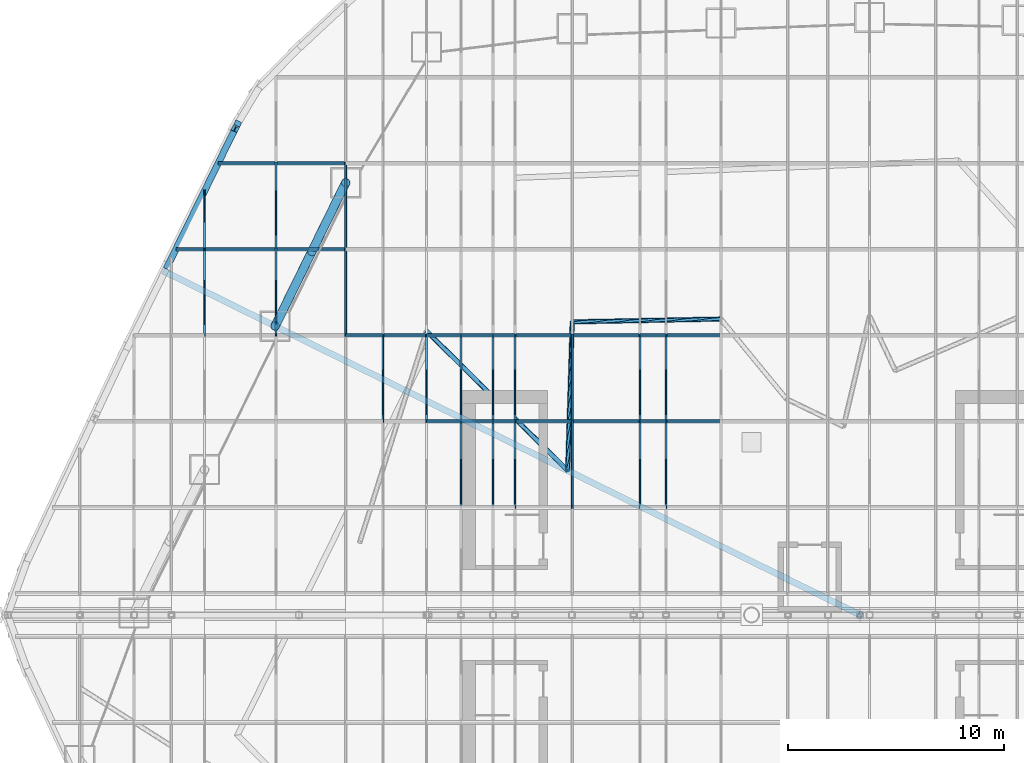
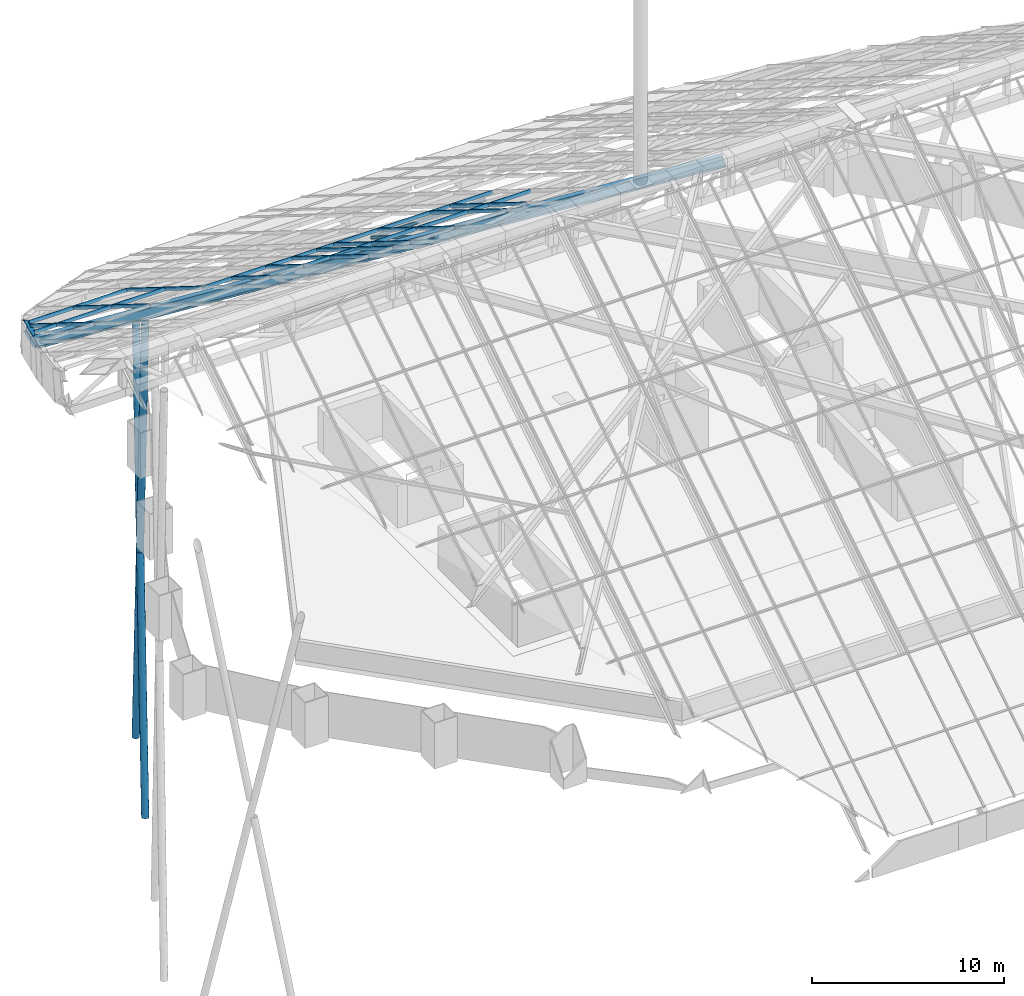
# One storey, part 14 of 38: 50 members, 22 elements without a shape of their own.
"""IFC4 building model written with IfcOpenShell, lengths in metres."""

from ifc_helpers import new_model, si_unit, direction, frame, origin, origin_2d, place, context, subcontext, project, spatial, rectangle, hollow_circle, i_section, extrude, material, layer, layer_set, material_profile, profile_set, type_object, element, aggregate, save


model = new_model("IFC4")

# Units and contexts
model_context = context("Model", 3, precision=1e-05, world=origin(), true_north=direction((0.0, 1.0)))
body_context = subcontext(model_context, "Body", "Model", "MODEL_VIEW")
ifc_project = project(units=[si_unit("LENGTHUNIT", "METRE"), si_unit("AREAUNIT", "SQUARE_METRE"), si_unit("VOLUMEUNIT", "CUBIC_METRE"), si_unit("PLANEANGLEUNIT", "RADIAN"), si_unit("MASSUNIT", "GRAM", prefix="KILO")], contexts=[model_context])

# Site, building, storey
site_placement = place(None, origin())
site = spatial("IfcSite", under=ifc_project, at=site_placement, CompositionType="ELEMENT")
building_placement = place(site_placement, origin())
building = spatial("IfcBuilding", under=site, at=building_placement, Name="Dongbaek Canopy Tower", CompositionType="ELEMENT")
storey_placement = place(building_placement, frame((0.0, 0.0, 375.800048828125)))
storey = spatial("IfcBuildingStorey", under=building, at=storey_placement, Name="Roof", CompositionType="ELEMENT", Elevation=375.800048828125)

# Members
ifc_material_1 = material(Name="Steel S355", Category="steel")
ifc_material_profile_1 = material_profile(ifc_material_1, hollow_circle(Radius=0.203125, WallThickness=0.0126953125, at=origin_2d()), Name="COLONNADE BRACE CHS 406.4x12.7 Steel S355")
ifc_profile_set_1 = profile_set([ifc_material_profile_1], Name="Steel S355")
member_type_1 = type_object("IfcMemberType", Name="COLONNADE BRACE CHS 406.4x12.7 Steel S355", PredefinedType="BRACE", material=ifc_profile_set_1)
member_1_placement = place(storey_placement, frame((-18.805908203125, 20.031982421875, -22.199951171875), z_axis=(-0.101088431439, -0.205512766021, 0.973419556015), x_axis=(0.897321296688, -0.441377945202, 0.0)))
element("IfcMember", 1, at=member_1_placement, inside=storey, type_object=member_type_1, Name="XBRACE:22:0", PredefinedType="BRACE", context=body_context, shape_type="SweptSolid", body=[
    extrude(hollow_circle(Radius=0.203125, WallThickness=0.0126953125, at=origin_2d()), origin(), (0.0, 0.0, 1.0), 32.34814453125),
])
member_2_placement = place(storey_placement, frame((-22.075927734375, 13.384033203125, -22.199951171875), z_axis=(0.115450028718, 0.234744525164, 0.965176822543), x_axis=(-0.897347087401, 0.441325508818, 0.0)))
element("IfcMember", 2, at=member_2_placement, inside=storey, type_object=member_type_1, Name="XBRACE:22:1", PredefinedType="BRACE", context=body_context, shape_type="SweptSolid", body=[
    extrude(hollow_circle(Radius=0.203125, WallThickness=0.0126953125, at=origin_2d()), origin(), (0.0, 0.0, 1.0), 14.73291015625),
])
member_3_placement = place(storey_placement, frame((-18.805908203125, 20.031982421875, 5.13427734375), z_axis=(-0.11546509805, -0.234745797978, -0.965174710332), x_axis=(0.897325221807, -0.441369965345, 0.0)))
element("IfcMember", 3, at=member_3_placement, inside=storey, type_object=member_type_1, Name="XBRACE:22:2", PredefinedType="BRACE", context=body_context, shape_type="SweptSolid", body=[
    extrude(hollow_circle(Radius=0.203125, WallThickness=0.0126953125, at=origin_2d()), origin(), (0.0, 0.0, 1.0), 12.73291015625),
])

# Curtain wall, member
ifc_material_2 = material(Name="Aluminium 6063-T6 pale anodised", Category="aluminium")
ifc_layer = layer(ifc_material_2, 0.199951171875)
ifc_layer_set = layer_set([ifc_layer], Name="CW-6 canopy glazing curtain wall")
curtain_wall_type = type_object("IfcCurtainWallType", Name="CW-6 canopy glazing curtain wall", PredefinedType="NOTDEFINED", material=ifc_layer_set)
curtain_wall_1_placement = place(storey_placement, origin())
curtain_wall_1 = element("IfcCurtainWall", 4, at=curtain_wall_1_placement, inside=storey, type_object=curtain_wall_type, Name="CW-6 canopy glazing north 4.4", PredefinedType="NOTDEFINED")
ifc_material_3 = material(Name="Aluminium 6063-T6 pale anodised", Category="aluminium")
ifc_material_profile_2 = material_profile(ifc_material_3, rectangle(XDim=0.080078125, YDim=0.199951171875, at=origin_2d()), Name="CW-6 mullion 80 x 200")
ifc_profile_set_2 = profile_set([ifc_material_profile_2], Name="Aluminium 6063-T6 pale anodised")
member_type_2 = type_object("IfcMemberType", Name="CW-6 mullion 80 x 200", PredefinedType="MULLION", material=ifc_profile_set_2)
member_4_placement = place(storey_placement, frame((-25.346923828125, 12.958740234375, 10.626220703125), z_axis=(0.0, 0.848030400431, -0.529947582262), x_axis=(-1.0, 0.0, 0.0)))
member_4 = element("IfcMember", 5, at=member_4_placement, type_object=member_type_2, Name="CW-6 mullion N4.4.-25.3", PredefinedType="MULLION", context=body_context, shape_type="SweptSolid", body=[
    extrude(rectangle(XDim=0.080078125, YDim=0.199951171875, at=origin_2d()), origin(), (0.0, 0.0, 1.0), 4.700439453125),
])

curtain_wall_2_placement = place(storey_placement, origin())
curtain_wall_2 = element("IfcCurtainWall", 6, at=curtain_wall_2_placement, inside=storey, type_object=curtain_wall_type, Name="CW-6 canopy glazing north 4.5", PredefinedType="NOTDEFINED")
member_5_placement = place(storey_placement, frame((-25.346923828125, 16.94482421875, 8.13525390625), z_axis=(0.0, 0.848041323399, -0.529930102756), x_axis=(-1.0, 0.0, 0.0)))
member_5 = element("IfcMember", 7, at=member_5_placement, type_object=member_type_2, Name="CW-6 mullion N4.5.-25.3", PredefinedType="MULLION", context=body_context, shape_type="SweptSolid", body=[
    extrude(rectangle(XDim=0.080078125, YDim=0.199951171875, at=origin_2d()), origin(), (0.0, 0.0, 1.0), 3.18798828125),
])
aggregate(curtain_wall_2, [member_5])

curtain_wall_3_placement = place(storey_placement, origin())
curtain_wall_3 = element("IfcCurtainWall", 8, at=curtain_wall_3_placement, inside=storey, type_object=curtain_wall_type, Name="CW-6 canopy glazing north 5.4", PredefinedType="NOTDEFINED")
member_6_placement = place(storey_placement, frame((-22.031005859375, 12.958740234375, 10.626220703125), z_axis=(0.0, 0.848030400431, -0.529947582262), x_axis=(-1.0, 0.0, 0.0)))
member_6 = element("IfcMember", 9, at=member_6_placement, type_object=member_type_2, Name="CW-6 mullion N5.4.-22.0", PredefinedType="MULLION", context=body_context, shape_type="SweptSolid", body=[
    extrude(rectangle(XDim=0.080078125, YDim=0.199951171875, at=origin_2d()), origin(), (0.0, 0.0, 1.0), 4.700439453125),
])

curtain_wall_4_placement = place(storey_placement, origin())
curtain_wall_4 = element("IfcCurtainWall", 10, at=curtain_wall_4_placement, inside=storey, type_object=curtain_wall_type, Name="CW-6 canopy glazing north 5.5", PredefinedType="NOTDEFINED")
member_7_placement = place(storey_placement, frame((-22.031005859375, 16.94482421875, 8.13525390625), z_axis=(0.0, 0.848068327403, -0.529886886095), x_axis=(-1.0, 0.0, 0.0)))
member_7 = element("IfcMember", 11, at=member_7_placement, type_object=member_type_2, Name="CW-6 mullion N5.5.-22.0", PredefinedType="MULLION", context=body_context, shape_type="SweptSolid", body=[
    extrude(rectangle(XDim=0.080078125, YDim=0.199951171875, at=origin_2d()), origin(), (0.0, 0.0, 1.0), 4.700439453125),
])

curtain_wall_5_placement = place(storey_placement, origin())
curtain_wall_5 = element("IfcCurtainWall", 12, at=curtain_wall_5_placement, inside=storey, type_object=curtain_wall_type, Name="CW-6 canopy glazing north 6.4", PredefinedType="NOTDEFINED")
member_8_placement = place(storey_placement, frame((-18.805908203125, 12.958740234375, 10.626220703125), z_axis=(0.0, 0.848030400431, -0.529947582262), x_axis=(-1.0, 0.0, 0.0)))
member_8 = element("IfcMember", 13, at=member_8_placement, type_object=member_type_2, Name="CW-6 mullion N6.4.-18.8", PredefinedType="MULLION", context=body_context, shape_type="SweptSolid", body=[
    extrude(rectangle(XDim=0.080078125, YDim=0.199951171875, at=origin_2d()), origin(), (0.0, 0.0, 1.0), 4.700439453125),
])

curtain_wall_6_placement = place(storey_placement, origin())
curtain_wall_6 = element("IfcCurtainWall", 14, at=curtain_wall_6_placement, inside=storey, type_object=curtain_wall_type, Name="CW-6 canopy glazing north 6.5", PredefinedType="NOTDEFINED")
member_9_placement = place(storey_placement, frame((-18.805908203125, 16.94482421875, 8.13525390625), z_axis=(0.0, 0.848068327403, -0.529886886095), x_axis=(-1.0, 0.0, 0.0)))
member_9 = element("IfcMember", 15, at=member_9_placement, type_object=member_type_2, Name="CW-6 mullion N6.5.-18.8", PredefinedType="MULLION", context=body_context, shape_type="SweptSolid", body=[
    extrude(rectangle(XDim=0.080078125, YDim=0.199951171875, at=origin_2d()), origin(), (0.0, 0.0, 1.0), 4.700439453125),
])

curtain_wall_7_placement = place(storey_placement, origin())
curtain_wall_7 = element("IfcCurtainWall", 16, at=curtain_wall_7_placement, inside=storey, type_object=curtain_wall_type, Name="CW-6 canopy glazing north 7.3", PredefinedType="NOTDEFINED")
member_10_placement = place(storey_placement, frame((-17.083984375, 8.972412109375, 13.116943359375), z_axis=(0.0, 0.848068327403, -0.529886886095), x_axis=(-1.0, 0.0, 0.0)))
member_10 = element("IfcMember", 17, at=member_10_placement, type_object=member_type_2, Name="CW-6 mullion N7.3.-17.1", PredefinedType="MULLION", context=body_context, shape_type="SweptSolid", body=[
    extrude(rectangle(XDim=0.080078125, YDim=0.199951171875, at=origin_2d()), origin(), (0.0, 0.0, 1.0), 4.700439453125),
])

curtain_wall_8_placement = place(storey_placement, origin())
curtain_wall_8 = element("IfcCurtainWall", 18, at=curtain_wall_8_placement, inside=storey, type_object=curtain_wall_type, Name="CW-6 canopy glazing north 8.3", PredefinedType="NOTDEFINED")
member_11_placement = place(storey_placement, frame((-15.06201171875, 8.972412109375, 13.116943359375), z_axis=(0.0, 0.848068327403, -0.529886886095), x_axis=(-1.0, 0.0, 0.0)))
member_11 = element("IfcMember", 19, at=member_11_placement, type_object=member_type_2, Name="CW-6 mullion N8.3.-15.1", PredefinedType="MULLION", context=body_context, shape_type="SweptSolid", body=[
    extrude(rectangle(XDim=0.080078125, YDim=0.199951171875, at=origin_2d()), origin(), (0.0, 0.0, 1.0), 4.700439453125),
])

curtain_wall_9_placement = place(storey_placement, origin())
curtain_wall_9 = element("IfcCurtainWall", 20, at=curtain_wall_9_placement, inside=storey, type_object=curtain_wall_type, Name="CW-6 canopy glazing north 9.2", PredefinedType="NOTDEFINED")
member_12_placement = place(storey_placement, frame((-13.464599609375, 4.986328125, 15.60791015625), z_axis=(0.0, 0.848030400431, -0.529947582262), x_axis=(-1.0, 0.0, 0.0)))
member_12 = element("IfcMember", 21, at=member_12_placement, type_object=member_type_2, Name="CW-6 mullion N9.2.-13.5", PredefinedType="MULLION", context=body_context, shape_type="SweptSolid", body=[
    extrude(rectangle(XDim=0.080078125, YDim=0.199951171875, at=origin_2d()), origin(), (0.0, 0.0, 1.0), 4.700439453125),
])

curtain_wall_10_placement = place(storey_placement, origin())
curtain_wall_10 = element("IfcCurtainWall", 22, at=curtain_wall_10_placement, inside=storey, type_object=curtain_wall_type, Name="CW-6 canopy glazing north 9.3", PredefinedType="NOTDEFINED")
member_13_placement = place(storey_placement, frame((-13.464599609375, 8.972412109375, 13.116943359375), z_axis=(0.0, 0.848068327403, -0.529886886095), x_axis=(-1.0, 0.0, 0.0)))
member_13 = element("IfcMember", 23, at=member_13_placement, type_object=member_type_2, Name="CW-6 mullion N9.3.-13.5", PredefinedType="MULLION", context=body_context, shape_type="SweptSolid", body=[
    extrude(rectangle(XDim=0.080078125, YDim=0.199951171875, at=origin_2d()), origin(), (0.0, 0.0, 1.0), 4.700439453125),
])

curtain_wall_11_placement = place(storey_placement, origin())
curtain_wall_11 = element("IfcCurtainWall", 24, at=curtain_wall_11_placement, inside=storey, type_object=curtain_wall_type, Name="CW-6 canopy glazing north 10.2", PredefinedType="NOTDEFINED")
member_14_placement = place(storey_placement, frame((-11.985107421875, 4.986328125, 15.60791015625), z_axis=(0.0, 0.848030400431, -0.529947582262), x_axis=(-1.0, 0.0, 0.0)))
member_14 = element("IfcMember", 25, at=member_14_placement, type_object=member_type_2, Name="CW-6 mullion N10.2.-12.0", PredefinedType="MULLION", context=body_context, shape_type="SweptSolid", body=[
    extrude(rectangle(XDim=0.080078125, YDim=0.199951171875, at=origin_2d()), origin(), (0.0, 0.0, 1.0), 4.700439453125),
])

curtain_wall_12_placement = place(storey_placement, origin())
curtain_wall_12 = element("IfcCurtainWall", 26, at=curtain_wall_12_placement, inside=storey, type_object=curtain_wall_type, Name="CW-6 canopy glazing north 10.3", PredefinedType="NOTDEFINED")
member_15_placement = place(storey_placement, frame((-11.985107421875, 8.972412109375, 13.116943359375), z_axis=(0.0, 0.848068327403, -0.529886886095), x_axis=(-1.0, 0.0, 0.0)))
member_15 = element("IfcMember", 27, at=member_15_placement, type_object=member_type_2, Name="CW-6 mullion N10.3.-12.0", PredefinedType="MULLION", context=body_context, shape_type="SweptSolid", body=[
    extrude(rectangle(XDim=0.080078125, YDim=0.199951171875, at=origin_2d()), origin(), (0.0, 0.0, 1.0), 4.700439453125),
])

curtain_wall_13_placement = place(storey_placement, origin())
curtain_wall_13 = element("IfcCurtainWall", 28, at=curtain_wall_13_placement, inside=storey, type_object=curtain_wall_type, Name="CW-6 canopy glazing north 11.2", PredefinedType="NOTDEFINED")
member_16_placement = place(storey_placement, frame((-10.964599609375, 4.986328125, 15.60791015625), z_axis=(0.0, 0.848030400431, -0.529947582262), x_axis=(-1.0, 0.0, 0.0)))
member_16 = element("IfcMember", 29, at=member_16_placement, type_object=member_type_2, Name="CW-6 mullion N11.2.-11.0", PredefinedType="MULLION", context=body_context, shape_type="SweptSolid", body=[
    extrude(rectangle(XDim=0.080078125, YDim=0.199951171875, at=origin_2d()), origin(), (0.0, 0.0, 1.0), 4.700439453125),
])

curtain_wall_14_placement = place(storey_placement, origin())
curtain_wall_14 = element("IfcCurtainWall", 30, at=curtain_wall_14_placement, inside=storey, type_object=curtain_wall_type, Name="CW-6 canopy glazing north 11.3", PredefinedType="NOTDEFINED")
member_17_placement = place(storey_placement, frame((-10.964599609375, 8.972412109375, 13.116943359375), z_axis=(0.0, 0.848068327403, -0.529886886095), x_axis=(-1.0, 0.0, 0.0)))
member_17 = element("IfcMember", 31, at=member_17_placement, type_object=member_type_2, Name="CW-6 mullion N11.3.-11.0", PredefinedType="MULLION", context=body_context, shape_type="SweptSolid", body=[
    extrude(rectangle(XDim=0.080078125, YDim=0.199951171875, at=origin_2d()), origin(), (0.0, 0.0, 1.0), 4.700439453125),
])

curtain_wall_15_placement = place(storey_placement, origin())
curtain_wall_15 = element("IfcCurtainWall", 32, at=curtain_wall_15_placement, inside=storey, type_object=curtain_wall_type, Name="CW-6 canopy glazing north 12.2", PredefinedType="NOTDEFINED")
member_18_placement = place(storey_placement, frame((-8.30908203125, 4.986328125, 15.60791015625), z_axis=(0.0, 0.848030400431, -0.529947582262), x_axis=(-1.0, 0.0, 0.0)))
member_18 = element("IfcMember", 33, at=member_18_placement, type_object=member_type_2, Name="CW-6 mullion N12.2.-8.3", PredefinedType="MULLION", context=body_context, shape_type="SweptSolid", body=[
    extrude(rectangle(XDim=0.080078125, YDim=0.199951171875, at=origin_2d()), origin(), (0.0, 0.0, 1.0), 4.700439453125),
])

curtain_wall_16_placement = place(storey_placement, origin())
curtain_wall_16 = element("IfcCurtainWall", 34, at=curtain_wall_16_placement, inside=storey, type_object=curtain_wall_type, Name="CW-6 canopy glazing north 12.3", PredefinedType="NOTDEFINED")
member_19_placement = place(storey_placement, frame((-8.30908203125, 8.972412109375, 13.116943359375), z_axis=(0.0, 0.848068327403, -0.529886886095), x_axis=(-1.0, 0.0, 0.0)))
member_19 = element("IfcMember", 35, at=member_19_placement, type_object=member_type_2, Name="CW-6 mullion N12.3.-8.3", PredefinedType="MULLION", context=body_context, shape_type="SweptSolid", body=[
    extrude(rectangle(XDim=0.080078125, YDim=0.199951171875, at=origin_2d()), origin(), (0.0, 0.0, 1.0), 4.700439453125),
])

curtain_wall_17_placement = place(storey_placement, origin())
curtain_wall_17 = element("IfcCurtainWall", 36, at=curtain_wall_17_placement, inside=storey, type_object=curtain_wall_type, Name="CW-6 canopy glazing north 13.2", PredefinedType="NOTDEFINED")
member_20_placement = place(storey_placement, frame((-5.166015625, 4.986328125, 15.60791015625), z_axis=(0.0, 0.848030400431, -0.529947582262), x_axis=(-1.0, 0.0, 0.0)))
member_20 = element("IfcMember", 37, at=member_20_placement, type_object=member_type_2, Name="CW-6 mullion N13.2.-5.2", PredefinedType="MULLION", context=body_context, shape_type="SweptSolid", body=[
    extrude(rectangle(XDim=0.080078125, YDim=0.199951171875, at=origin_2d()), origin(), (0.0, 0.0, 1.0), 4.700439453125),
])

curtain_wall_18_placement = place(storey_placement, origin())
curtain_wall_18 = element("IfcCurtainWall", 38, at=curtain_wall_18_placement, inside=storey, type_object=curtain_wall_type, Name="CW-6 canopy glazing north 13.3", PredefinedType="NOTDEFINED")
member_21_placement = place(storey_placement, frame((-5.166015625, 8.972412109375, 13.116943359375), z_axis=(0.0, 0.848068327403, -0.529886886095), x_axis=(-1.0, 0.0, 0.0)))
member_21 = element("IfcMember", 39, at=member_21_placement, type_object=member_type_2, Name="CW-6 mullion N13.3.-5.2", PredefinedType="MULLION", context=body_context, shape_type="SweptSolid", body=[
    extrude(rectangle(XDim=0.080078125, YDim=0.199951171875, at=origin_2d()), origin(), (0.0, 0.0, 1.0), 4.700439453125),
])

curtain_wall_19_placement = place(storey_placement, origin())
curtain_wall_19 = element("IfcCurtainWall", 40, at=curtain_wall_19_placement, inside=storey, type_object=curtain_wall_type, Name="CW-6 canopy glazing north 14.2", PredefinedType="NOTDEFINED")
member_22_placement = place(storey_placement, frame((-3.964599609375, 4.986328125, 15.60791015625), z_axis=(0.0, 0.848030400431, -0.529947582262), x_axis=(-1.0, 0.0, 0.0)))
member_22 = element("IfcMember", 41, at=member_22_placement, type_object=member_type_2, Name="CW-6 mullion N14.2.-4.0", PredefinedType="MULLION", context=body_context, shape_type="SweptSolid", body=[
    extrude(rectangle(XDim=0.080078125, YDim=0.199951171875, at=origin_2d()), origin(), (0.0, 0.0, 1.0), 4.700439453125),
])

curtain_wall_20_placement = place(storey_placement, origin())
curtain_wall_20 = element("IfcCurtainWall", 42, at=curtain_wall_20_placement, inside=storey, type_object=curtain_wall_type, Name="CW-6 canopy glazing north 14.3", PredefinedType="NOTDEFINED")
member_23_placement = place(storey_placement, frame((-3.964599609375, 8.972412109375, 13.116943359375), z_axis=(0.0, 0.848068327403, -0.529886886095), x_axis=(-1.0, 0.0, 0.0)))
member_23 = element("IfcMember", 43, at=member_23_placement, type_object=member_type_2, Name="CW-6 mullion N14.3.-4.0", PredefinedType="MULLION", context=body_context, shape_type="SweptSolid", body=[
    extrude(rectangle(XDim=0.080078125, YDim=0.199951171875, at=origin_2d()), origin(), (0.0, 0.0, 1.0), 4.700439453125),
])

# Member
ifc_material_4 = material(Name="Aluminium 6063-T6 pale anodised", Category="aluminium")
ifc_material_profile_3 = material_profile(ifc_material_4, rectangle(XDim=0.080078125, YDim=0.199951171875, at=origin_2d()), Name="CW-6 transom 80 x 200")
ifc_profile_set_3 = profile_set([ifc_material_profile_3], Name="Aluminium 6063-T6 pale anodised")
member_type_3 = type_object("IfcMemberType", Name="CW-6 transom 80 x 200", PredefinedType="USERDEFINED", material=ifc_profile_set_3)
member_24_placement = place(storey_placement, frame((-26.677001953125, 16.94482421875, 8.13525390625), z_axis=(1.0, 0.0, 0.0), x_axis=(0.0, 0.848048096156, -0.529919264233)))
member_24 = element("IfcMember", 44, at=member_24_placement, type_object=member_type_3, Name="CW-6 transom N4.4.5", ObjectType="TRANSOM", PredefinedType="USERDEFINED", context=body_context, shape_type="SweptSolid", body=[
    extrude(rectangle(XDim=0.080078125, YDim=0.199951171875, at=origin_2d()), origin(), (0.0, 0.0, 1.0), 1.330078125),
])

aggregate(curtain_wall_1, [member_4, member_24])

member_25_placement = place(storey_placement, frame((-25.346923828125, 16.94482421875, 8.13525390625), z_axis=(1.0, 0.0, 0.0), x_axis=(0.0, 0.848048096156, -0.529919264233)))
member_25 = element("IfcMember", 45, at=member_25_placement, type_object=member_type_3, Name="CW-6 transom N5.4.5", ObjectType="TRANSOM", PredefinedType="USERDEFINED", context=body_context, shape_type="SweptSolid", body=[
    extrude(rectangle(XDim=0.080078125, YDim=0.199951171875, at=origin_2d()), origin(), (0.0, 0.0, 1.0), 3.31591796875),
])

aggregate(curtain_wall_3, [member_6, member_25])

member_26_placement = place(storey_placement, frame((-24.716064453125, 20.93115234375, 5.64453125), z_axis=(1.0, 0.0, 0.0), x_axis=(0.0, 0.848048096156, -0.529919264233)))
member_26 = element("IfcMember", 46, at=member_26_placement, type_object=member_type_3, Name="CW-6 transom N5.5.6", ObjectType="TRANSOM", PredefinedType="USERDEFINED", context=body_context, shape_type="SweptSolid", body=[
    extrude(rectangle(XDim=0.080078125, YDim=0.199951171875, at=origin_2d()), origin(), (0.0, 0.0, 1.0), 2.68505859375),
])

aggregate(curtain_wall_4, [member_7, member_26])

member_27_placement = place(storey_placement, frame((-22.031005859375, 16.94482421875, 8.13525390625), z_axis=(1.0, 0.0, 0.0), x_axis=(0.0, 0.848048096156, -0.529919264233)))
member_27 = element("IfcMember", 47, at=member_27_placement, type_object=member_type_3, Name="CW-6 transom N6.4.5", ObjectType="TRANSOM", PredefinedType="USERDEFINED", context=body_context, shape_type="SweptSolid", body=[
    extrude(rectangle(XDim=0.080078125, YDim=0.199951171875, at=origin_2d()), origin(), (0.0, 0.0, 1.0), 3.22509765625),
])

aggregate(curtain_wall_5, [member_8, member_27])

member_28_placement = place(storey_placement, frame((-22.031005859375, 20.93115234375, 5.64453125), z_axis=(1.0, 0.0, 0.0), x_axis=(0.0, 0.848048096156, -0.529919264233)))
member_28 = element("IfcMember", 48, at=member_28_placement, type_object=member_type_3, Name="CW-6 transom N6.5.6", ObjectType="TRANSOM", PredefinedType="USERDEFINED", context=body_context, shape_type="SweptSolid", body=[
    extrude(rectangle(XDim=0.080078125, YDim=0.199951171875, at=origin_2d()), origin(), (0.0, 0.0, 1.0), 3.22509765625),
])

aggregate(curtain_wall_6, [member_9, member_28])

member_29_placement = place(storey_placement, frame((-18.805908203125, 12.958740234375, 10.626220703125), z_axis=(1.0, 0.0, 0.0), x_axis=(0.0, 0.848048096156, -0.529919264233)))
member_29 = element("IfcMember", 49, at=member_29_placement, type_object=member_type_3, Name="CW-6 transom N7.3.4", ObjectType="TRANSOM", PredefinedType="USERDEFINED", context=body_context, shape_type="SweptSolid", body=[
    extrude(rectangle(XDim=0.080078125, YDim=0.199951171875, at=origin_2d()), origin(), (0.0, 0.0, 1.0), 1.721923828125),
])

aggregate(curtain_wall_7, [member_10, member_29])

member_30_placement = place(storey_placement, frame((-17.083984375, 12.958740234375, 10.626220703125), z_axis=(1.0, 0.0, 0.0), x_axis=(0.0, 0.848048096156, -0.529919264233)))
member_30 = element("IfcMember", 50, at=member_30_placement, type_object=member_type_3, Name="CW-6 transom N8.3.4", ObjectType="TRANSOM", PredefinedType="USERDEFINED", context=body_context, shape_type="SweptSolid", body=[
    extrude(rectangle(XDim=0.080078125, YDim=0.199951171875, at=origin_2d()), origin(), (0.0, 0.0, 1.0), 2.02197265625),
])

aggregate(curtain_wall_8, [member_11, member_30])

member_31_placement = place(storey_placement, frame((-15.06201171875, 8.972412109375, 13.116943359375), z_axis=(1.0, 0.0, 0.0), x_axis=(0.0, 0.848048096156, -0.529919264233)))
member_31 = element("IfcMember", 51, at=member_31_placement, type_object=member_type_3, Name="CW-6 transom N9.2.3", ObjectType="TRANSOM", PredefinedType="USERDEFINED", context=body_context, shape_type="SweptSolid", body=[
    extrude(rectangle(XDim=0.080078125, YDim=0.199951171875, at=origin_2d()), origin(), (0.0, 0.0, 1.0), 1.597412109375),
])

aggregate(curtain_wall_9, [member_12, member_31])

member_32_placement = place(storey_placement, frame((-15.06201171875, 12.958740234375, 10.626220703125), z_axis=(1.0, 0.0, 0.0), x_axis=(0.0, 0.848048096156, -0.529919264233)))
member_32 = element("IfcMember", 52, at=member_32_placement, type_object=member_type_3, Name="CW-6 transom N9.3.4", ObjectType="TRANSOM", PredefinedType="USERDEFINED", context=body_context, shape_type="SweptSolid", body=[
    extrude(rectangle(XDim=0.080078125, YDim=0.199951171875, at=origin_2d()), origin(), (0.0, 0.0, 1.0), 1.597412109375),
])

aggregate(curtain_wall_10, [member_13, member_32])

member_33_placement = place(storey_placement, frame((-13.464599609375, 8.972412109375, 13.116943359375), z_axis=(1.0, 0.0, 0.0), x_axis=(0.0, 0.848048096156, -0.529919264233)))
member_33 = element("IfcMember", 53, at=member_33_placement, type_object=member_type_3, Name="CW-6 transom N10.2.3", ObjectType="TRANSOM", PredefinedType="USERDEFINED", context=body_context, shape_type="SweptSolid", body=[
    extrude(rectangle(XDim=0.080078125, YDim=0.199951171875, at=origin_2d()), origin(), (0.0, 0.0, 1.0), 1.4794921875),
])

aggregate(curtain_wall_11, [member_14, member_33])

member_34_placement = place(storey_placement, frame((-13.464599609375, 12.958740234375, 10.626220703125), z_axis=(1.0, 0.0, 0.0), x_axis=(0.0, 0.848048096156, -0.529919264233)))
member_34 = element("IfcMember", 54, at=member_34_placement, type_object=member_type_3, Name="CW-6 transom N10.3.4", ObjectType="TRANSOM", PredefinedType="USERDEFINED", context=body_context, shape_type="SweptSolid", body=[
    extrude(rectangle(XDim=0.080078125, YDim=0.199951171875, at=origin_2d()), origin(), (0.0, 0.0, 1.0), 1.4794921875),
])

aggregate(curtain_wall_12, [member_15, member_34])

member_35_placement = place(storey_placement, frame((-11.985107421875, 8.972412109375, 13.116943359375), z_axis=(1.0, 0.0, 0.0), x_axis=(0.0, 0.848048096156, -0.529919264233)))
member_35 = element("IfcMember", 55, at=member_35_placement, type_object=member_type_3, Name="CW-6 transom N11.2.3", ObjectType="TRANSOM", PredefinedType="USERDEFINED", context=body_context, shape_type="SweptSolid", body=[
    extrude(rectangle(XDim=0.080078125, YDim=0.199951171875, at=origin_2d()), origin(), (0.0, 0.0, 1.0), 1.0205078125),
])

aggregate(curtain_wall_13, [member_16, member_35])

member_36_placement = place(storey_placement, frame((-11.985107421875, 12.958740234375, 10.626220703125), z_axis=(1.0, 0.0, 0.0), x_axis=(0.0, 0.848048096156, -0.529919264233)))
member_36 = element("IfcMember", 56, at=member_36_placement, type_object=member_type_3, Name="CW-6 transom N11.3.4", ObjectType="TRANSOM", PredefinedType="USERDEFINED", context=body_context, shape_type="SweptSolid", body=[
    extrude(rectangle(XDim=0.080078125, YDim=0.199951171875, at=origin_2d()), origin(), (0.0, 0.0, 1.0), 1.0205078125),
])

aggregate(curtain_wall_14, [member_17, member_36])

member_37_placement = place(storey_placement, frame((-10.964599609375, 8.972412109375, 13.116943359375), z_axis=(1.0, 0.0, 0.0), x_axis=(0.0, 0.848048096156, -0.529919264233)))
member_37 = element("IfcMember", 57, at=member_37_placement, type_object=member_type_3, Name="CW-6 transom N12.2.3", ObjectType="TRANSOM", PredefinedType="USERDEFINED", context=body_context, shape_type="SweptSolid", body=[
    extrude(rectangle(XDim=0.080078125, YDim=0.199951171875, at=origin_2d()), origin(), (0.0, 0.0, 1.0), 2.655517578125),
])

aggregate(curtain_wall_15, [member_18, member_37])

member_38_placement = place(storey_placement, frame((-10.964599609375, 12.958740234375, 10.626220703125), z_axis=(1.0, 0.0, 0.0), x_axis=(0.0, 0.848048096156, -0.529919264233)))
member_38 = element("IfcMember", 58, at=member_38_placement, type_object=member_type_3, Name="CW-6 transom N12.3.4", ObjectType="TRANSOM", PredefinedType="USERDEFINED", context=body_context, shape_type="SweptSolid", body=[
    extrude(rectangle(XDim=0.080078125, YDim=0.199951171875, at=origin_2d()), origin(), (0.0, 0.0, 1.0), 2.655517578125),
])

aggregate(curtain_wall_16, [member_19, member_38])

member_39_placement = place(storey_placement, frame((-8.30908203125, 8.972412109375, 13.116943359375), z_axis=(1.0, 0.0, 0.0), x_axis=(0.0, 0.848048096156, -0.529919264233)))
member_39 = element("IfcMember", 59, at=member_39_placement, type_object=member_type_3, Name="CW-6 transom N13.2.3", ObjectType="TRANSOM", PredefinedType="USERDEFINED", context=body_context, shape_type="SweptSolid", body=[
    extrude(rectangle(XDim=0.080078125, YDim=0.199951171875, at=origin_2d()), origin(), (0.0, 0.0, 1.0), 3.14306640625),
])

aggregate(curtain_wall_17, [member_20, member_39])

member_40_placement = place(storey_placement, frame((-8.30908203125, 12.958740234375, 10.626220703125), z_axis=(1.0, 0.0, 0.0), x_axis=(0.0, 0.848048096156, -0.529919264233)))
member_40 = element("IfcMember", 60, at=member_40_placement, type_object=member_type_3, Name="CW-6 transom N13.3.4", ObjectType="TRANSOM", PredefinedType="USERDEFINED", context=body_context, shape_type="SweptSolid", body=[
    extrude(rectangle(XDim=0.080078125, YDim=0.199951171875, at=origin_2d()), origin(), (0.0, 0.0, 1.0), 3.14306640625),
])

aggregate(curtain_wall_18, [member_21, member_40])

member_41_placement = place(storey_placement, frame((-5.166015625, 8.972412109375, 13.116943359375), z_axis=(1.0, 0.0, 0.0), x_axis=(0.0, 0.848048096156, -0.529919264233)))
member_41 = element("IfcMember", 61, at=member_41_placement, type_object=member_type_3, Name="CW-6 transom N14.2.3", ObjectType="TRANSOM", PredefinedType="USERDEFINED", context=body_context, shape_type="SweptSolid", body=[
    extrude(rectangle(XDim=0.080078125, YDim=0.199951171875, at=origin_2d()), origin(), (0.0, 0.0, 1.0), 1.201416015625),
])

aggregate(curtain_wall_19, [member_22, member_41])

member_42_placement = place(storey_placement, frame((-5.166015625, 12.958740234375, 10.626220703125), z_axis=(1.0, 0.0, 0.0), x_axis=(0.0, 0.848048096156, -0.529919264233)))
member_42 = element("IfcMember", 62, at=member_42_placement, type_object=member_type_3, Name="CW-6 transom N14.3.4", ObjectType="TRANSOM", PredefinedType="USERDEFINED", context=body_context, shape_type="SweptSolid", body=[
    extrude(rectangle(XDim=0.080078125, YDim=0.199951171875, at=origin_2d()), origin(), (0.0, 0.0, 1.0), 1.201416015625),
])

aggregate(curtain_wall_20, [member_23, member_42])

# Curtain wall, member
curtain_wall_21_placement = place(storey_placement, origin())
curtain_wall_21 = element("IfcCurtainWall", 63, at=curtain_wall_21_placement, inside=storey, type_object=curtain_wall_type, Name="CW-6 canopy glazing north 15.2", PredefinedType="NOTDEFINED")
member_43_placement = place(storey_placement, frame((-3.964599609375, 8.972412109375, 13.116943359375), z_axis=(1.0, 0.0, 0.0), x_axis=(0.0, 0.848048096156, -0.529919264233)))
member_43 = element("IfcMember", 64, at=member_43_placement, type_object=member_type_3, Name="CW-6 transom N15.2.3", ObjectType="TRANSOM", PredefinedType="USERDEFINED", context=body_context, shape_type="SweptSolid", body=[
    extrude(rectangle(XDim=0.080078125, YDim=0.199951171875, at=origin_2d()), origin(), (0.0, 0.0, 1.0), 2.546630859375),
])
aggregate(curtain_wall_21, [member_43])

curtain_wall_22_placement = place(storey_placement, origin())
curtain_wall_22 = element("IfcCurtainWall", 65, at=curtain_wall_22_placement, inside=storey, type_object=curtain_wall_type, Name="CW-6 canopy glazing north 15.3", PredefinedType="NOTDEFINED")
member_44_placement = place(storey_placement, frame((-3.964599609375, 12.958740234375, 10.626220703125), z_axis=(1.0, 0.0, 0.0), x_axis=(0.0, 0.848048096156, -0.529919264233)))
member_44 = element("IfcMember", 66, at=member_44_placement, type_object=member_type_3, Name="CW-6 transom N15.3.4", ObjectType="TRANSOM", PredefinedType="USERDEFINED", context=body_context, shape_type="SweptSolid", body=[
    extrude(rectangle(XDim=0.080078125, YDim=0.199951171875, at=origin_2d()), origin(), (0.0, 0.0, 1.0), 2.546630859375),
])
aggregate(curtain_wall_22, [member_44])

# Members
ifc_material_5 = material(Name="Steel S355", Category="steel")
ifc_material_profile_4 = material_profile(ifc_material_5, i_section(OverallWidth=0.300048828125, OverallDepth=0.587890625, WebThickness=0.011962890625, FlangeThickness=0.02001953125, FilletRadius=0.028076171875, at=origin_2d()), Name="EAVES BEAM H 588x300x12x20 Steel S355")
ifc_profile_set_4 = profile_set([ifc_material_profile_4], Name="Steel S355")
member_type_4 = type_object("IfcMemberType", Name="EAVES BEAM H 588x300x12x20 Steel S355", PredefinedType="MEMBER", material=ifc_profile_set_4)
member_45_placement = place(storey_placement, frame((-23.8203125, 22.752197265625, 4.03466796875), z_axis=(-0.384765087722, -0.78317432749, 0.488460643278), x_axis=(0.897532613433, -0.440948078377, 0.0)))
element("IfcMember", 67, at=member_45_placement, inside=storey, type_object=member_type_4, Name="EAVE:55", PredefinedType="MEMBER", context=body_context, shape_type="SweptSolid", body=[
    extrude(i_section(OverallWidth=0.300048828125, OverallDepth=0.587890625, WebThickness=0.011962890625, FlangeThickness=0.02001953125, FilletRadius=0.028076171875, at=origin_2d()), origin(), (0.0, 0.0, 1.0), 0.268310546875),
])
member_46_placement = place(storey_placement, frame((-23.923583984375, 22.5419921875, 4.165771484375), z_axis=(-0.384999356733, -0.782670744957, 0.489082815383), x_axis=(0.897313950618, -0.441392879447, 0.0)))
element("IfcMember", 68, at=member_46_placement, inside=storey, type_object=member_type_4, Name="EAVE:56", PredefinedType="MEMBER", context=body_context, shape_type="SweptSolid", body=[
    extrude(i_section(OverallWidth=0.300048828125, OverallDepth=0.587890625, WebThickness=0.011962890625, FlangeThickness=0.02001953125, FilletRadius=0.028076171875, at=origin_2d()), origin(), (0.0, 0.0, 1.0), 8.47705078125),
])
ifc_material_6 = material(Name="Steel S355", Category="steel")
ifc_material_profile_5 = material_profile(ifc_material_6, hollow_circle(Radius=0.108154296875, WallThickness=0.00830078125, at=origin_2d()), Name="PURLIN CHS 216.3x8.2 Steel S355")
ifc_profile_set_5 = profile_set([ifc_material_profile_5], Name="Steel S355")
member_type_5 = type_object("IfcMemberType", Name="PURLIN CHS 216.3x8.2 Steel S355", PredefinedType="PURLIN", material=ifc_profile_set_5)
member_47_placement = place(storey_placement, frame((-15.06201171875, 13.160400390625, 10.028076171875), z_axis=(0.65099890904, -0.643734272412, 0.402251919761), x_axis=(0.703128197818, 0.711063103693, 0.0)))
element("IfcMember", 69, at=member_47_placement, inside=storey, type_object=member_type_5, Name="PURLIN:1:01", PredefinedType="PURLIN", context=body_context, shape_type="SweptSolid", body=[
    extrude(hollow_circle(Radius=0.108154296875, WallThickness=0.00830078125, at=origin_2d()), origin(), (0.0, 0.0, 1.0), 10.04833984375),
])
member_48_placement = place(storey_placement, frame((-8.5205078125, 6.69189453125, 14.070068359375), z_axis=(0.026013813679, 0.84776195111, -0.529738573022), x_axis=(-0.999529538974, 0.030670844758, 0.0)))
element("IfcMember", 70, at=member_48_placement, inside=storey, type_object=member_type_5, Name="PURLIN:1:02", PredefinedType="PURLIN", context=body_context, shape_type="SweptSolid", body=[
    extrude(hollow_circle(Radius=0.108154296875, WallThickness=0.00830078125, at=origin_2d()), origin(), (0.0, 0.0, 1.0), 8.12744140625),
])
member_49_placement = place(storey_placement, frame((-8.30908203125, 13.58203125, 9.7646484375), z_axis=(0.999745141775, 0.019161840916, -0.011936303861), x_axis=(-0.019163206107, 0.999816368906, 0.0)))
element("IfcMember", 71, at=member_49_placement, inside=storey, type_object=member_type_5, Name="PURLIN:1:03", PredefinedType="PURLIN", context=body_context, shape_type="SweptSolid", body=[
    extrude(hollow_circle(Radius=0.108154296875, WallThickness=0.00830078125, at=origin_2d()), origin(), (0.0, 0.0, 1.0), 6.892822265625),
])
ifc_material_7 = material(Name="Steel S355", Category="steel")
ifc_material_profile_6 = material_profile(ifc_material_7, i_section(OverallWidth=0.300048828125, OverallDepth=0.699951171875, WebThickness=0.012939453125, FlangeThickness=0.02392578125, FilletRadius=0.028076171875, at=origin_2d()), Name="RAFTER H 700x300x13x24 Steel S355")
ifc_profile_set_6 = profile_set([ifc_material_profile_6], Name="Steel S355")
member_type_6 = type_object("IfcMemberType", Name="RAFTER H 700x300x13x24 Steel S355", PredefinedType="RAFTER", material=ifc_profile_set_6)
member_50_placement = place(storey_placement, frame((-27.187255859375, 15.9072265625, 8.311767578125), z_axis=(0.864234852849, -0.42664327549, 0.266596388948), x_axis=(0.442664057184, 0.896687533357, 0.0)))
element("IfcMember", 72, at=member_50_placement, inside=storey, type_object=member_type_6, Name="RAFTER:14", PredefinedType="RAFTER", context=body_context, shape_type="SweptSolid", body=[
    extrude(i_section(OverallWidth=0.300048828125, OverallDepth=0.699951171875, WebThickness=0.012939453125, FlangeThickness=0.02392578125, FilletRadius=0.028076171875, at=origin_2d()), origin(), (0.0, 0.0, 1.0), 37.28466796875),
])

save(model, "model.ifc")
